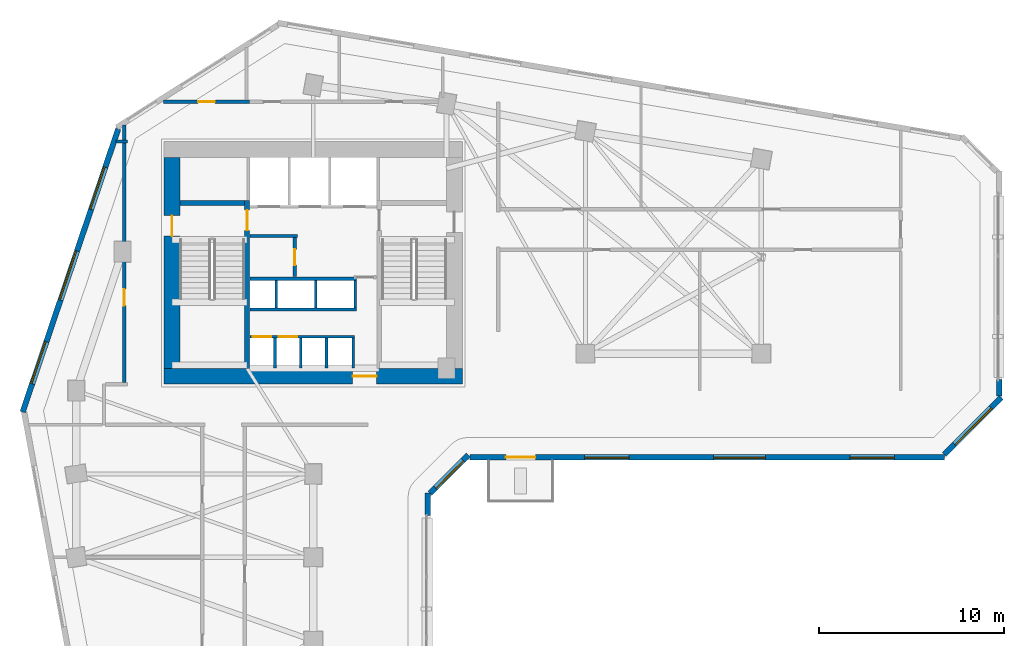
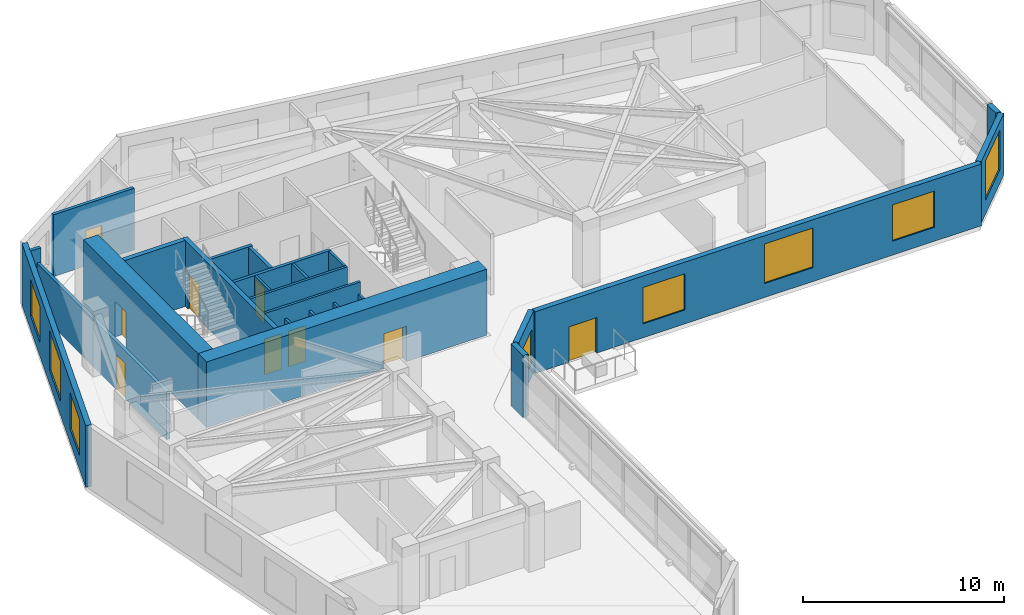
# One storey, part 7 of 12: 25 walls, 9 doors, 8 windows, 17 openings.
"""IFC4 building model written with IfcOpenShell, lengths in metres."""

import ifcopenshell
import ifcopenshell.guid

model = None  # the IFC model being written
_history = None  # IfcOwnerHistory: only IFC2X3 demands one
_inside = {}  # id of a spatial element -> (the spatial element, [elements in it])
_under = {}  # id of a project, library or spatial element -> (it, [spatial elements below it])
_declared = {}  # id of a project -> (the project, [libraries it declares])
_typed = {}  # id of a type object -> (the type object, [elements of that type])
_made_of = {}  # id of a material, layer set ... -> (it, [elements and type objects made of it])


def new_model(schema):
    """Start an empty IFC model of exactly this schema.

    Asked for "IFC4X3", IfcOpenShell would pick the latest addendum, in which some entities
    have other attributes; the version numbers below select the first issue.
    IFC2X3 requires an IfcOwnerHistory on every rooted entity: one is made here for all.
    """
    global model, _history
    if schema == "IFC4X3":
        model = ifcopenshell.file(schema_version=(4, 3, 0, 0))
    else:
        model = ifcopenshell.file(schema=schema)
    _inside.clear()
    _under.clear()
    _declared.clear()
    _typed.clear()
    _made_of.clear()
    _history = None
    if model.schema == "IFC2X3":
        org = make("IfcOrganization", Name="unknown")
        user = make(
            "IfcPersonAndOrganization",
            ThePerson=make("IfcPerson", FamilyName="unknown"),
            TheOrganization=org,
        )
        app = make(
            "IfcApplication",
            ApplicationDeveloper=org,
            Version="unknown",
            ApplicationFullName="unknown",
            ApplicationIdentifier="unknown",
        )
        _history = make(
            "IfcOwnerHistory",
            OwningUser=user,
            OwningApplication=app,
            ChangeAction="ADDED",
            CreationDate=0,
        )
    return model


def make(cls, **values):
    """One entity of the class cls with the attributes given. An attribute that is None is left unset."""
    return model.create_entity(
        cls, **{name: value for name, value in values.items() if value is not None}
    )


def rooted(cls, **values):
    """An entity with a GlobalId (a new one), such as an element, a storey or a relation."""
    return make(cls, GlobalId=ifcopenshell.guid.new(), OwnerHistory=_history, **values)


def si_unit(unit_type, name, prefix=None):
    """IfcSIUnit, for example si_unit("LENGTHUNIT", "METRE", prefix="MILLI")."""
    return make("IfcSIUnit", UnitType=unit_type, Prefix=prefix, Name=name)


def assignment(units):
    """IfcUnitAssignment: the units of a project."""
    return None if units is None else make("IfcUnitAssignment", Units=units)


def point(xyz):
    """IfcCartesianPoint."""
    return None if xyz is None else make("IfcCartesianPoint", Coordinates=xyz)


def direction(xyz):
    """IfcDirection."""
    return None if xyz is None else make("IfcDirection", DirectionRatios=xyz)


def frame(location, z_axis=None, x_axis=None):
    """IfcAxis2Placement3D, a coordinate frame: its origin and axes. An axis left out is left unset."""
    return make(
        "IfcAxis2Placement3D",
        Location=point(location),
        Axis=direction(z_axis),
        RefDirection=direction(x_axis),
    )


def frame_2d(location, x_axis=None):
    """IfcAxis2Placement2D, a coordinate frame in the plane: its origin and x axis."""
    return make(
        "IfcAxis2Placement2D", Location=point(location), RefDirection=direction(x_axis)
    )


def origin():
    """The frame at (0, 0, 0) with its axes left unset."""
    return frame((0.0, 0.0, 0.0))


def place(relative_to, where):
    """IfcLocalPlacement: puts the frame where relative to a parent placement (None: the world)."""
    return make(
        "IfcLocalPlacement", PlacementRelTo=relative_to, RelativePlacement=where
    )


def context(
    kind, dimensions, precision=None, world=None, true_north=None, identifier=None
):
    """IfcGeometricRepresentationContext, for example the 3D "Model" context."""
    return make(
        "IfcGeometricRepresentationContext",
        ContextIdentifier=identifier,
        ContextType=kind,
        CoordinateSpaceDimension=dimensions,
        Precision=precision,
        WorldCoordinateSystem=world,
        TrueNorth=true_north,
    )


def subcontext(parent, identifier, kind, view, scale=None):
    """IfcGeometricRepresentationSubContext, for example "Body" below "Model"."""
    return make(
        "IfcGeometricRepresentationSubContext",
        ContextIdentifier=identifier,
        ContextType=kind,
        ParentContext=parent,
        TargetScale=scale,
        TargetView=view,
    )


def project(units=None, contexts=None):
    """IfcProject with its units and contexts."""
    return rooted(
        "IfcProject",
        Name="project",
        RepresentationContexts=contexts,
        UnitsInContext=assignment(units),
    )


def spatial(cls, under=None, at=None, **own):
    """A site, building, storey or space (cls), placed at a placement, below another one or the project."""
    s = rooted(cls, ObjectPlacement=at, **own)
    if under is not None:
        _under.setdefault(under.id(), (under, []))[1].append(s)
    return s


def profile(cls, at=None, kind="AREA", **sizes):
    """A parametric profile (cls). Its sizes go by their IFC names, for example OverallWidth=200.0."""
    return make(cls, ProfileType=kind, Position=at, **sizes)


def rectangle(**sizes):
    """IfcRectangleProfileDef."""
    return profile("IfcRectangleProfileDef", **sizes)


def extrude(swept, where, along, depth):
    """IfcExtrudedAreaSolid: the profile swept, set in the frame where, extruded along a direction by depth."""
    return make(
        "IfcExtrudedAreaSolid",
        SweptArea=swept,
        Position=where,
        ExtrudedDirection=direction(along),
        Depth=depth,
    )


def shape(context_of_items, identifier, shape_type, items):
    """IfcShapeRepresentation: the items that make up one representation, for example the "Body"."""
    return make(
        "IfcShapeRepresentation",
        ContextOfItems=context_of_items,
        RepresentationIdentifier=identifier,
        RepresentationType=shape_type,
        Items=items,
    )


def source(mapping_origin, context_of_items, identifier, shape_type, items):
    """IfcRepresentationMap: a shape defined once, which mapped items show again and again."""
    return make(
        "IfcRepresentationMap",
        MappingOrigin=mapping_origin,
        MappedRepresentation=shape(context_of_items, identifier, shape_type, items),
    )


def transform(
    local_origin,
    x_axis=None,
    y_axis=None,
    z_axis=None,
    scale=None,
    scale2=None,
    scale3=None,
    uniform=True,
):
    """IfcCartesianTransformationOperator3D, or its non-uniform kind. x_axis, y_axis, z_axis: its Axis1, 2, 3."""
    if uniform:
        return make(
            "IfcCartesianTransformationOperator3D",
            Axis1=direction(x_axis),
            Axis2=direction(y_axis),
            LocalOrigin=point(local_origin),
            Scale=scale,
            Axis3=direction(z_axis),
        )
    return make(
        "IfcCartesianTransformationOperator3DnonUniform",
        Axis1=direction(x_axis),
        Axis2=direction(y_axis),
        LocalOrigin=point(local_origin),
        Scale=scale,
        Axis3=direction(z_axis),
        Scale2=scale2,
        Scale3=scale3,
    )


def mapped(mapping_source, mapping_target):
    """IfcMappedItem: shows the shape of a source again, moved by a transform."""
    return make(
        "IfcMappedItem", MappingSource=mapping_source, MappingTarget=mapping_target
    )


def material(Name=None, Category=None):
    """IfcMaterial."""
    return make("IfcMaterial", Name=Name, Category=Category)


def layer(
    of_material, thickness, ventilated=None, Name=None, Category=None, Priority=None
):
    """IfcMaterialLayer: one layer of a wall or slab, of a material (None: an air gap)."""
    return make(
        "IfcMaterialLayer",
        Material=of_material,
        LayerThickness=thickness,
        IsVentilated=ventilated,
        Name=Name,
        Category=Category,
        Priority=Priority,
    )


def layer_set(layers, Name=None):
    """IfcMaterialLayerSet."""
    return make("IfcMaterialLayerSet", MaterialLayers=layers, LayerSetName=Name)


def made_of(thing, what):
    """Note that an element or type object is made of a material, layer set ...; save() writes the relation."""
    if what is not None:
        _made_of.setdefault(what.id(), (what, []))[1].append(thing)
    return thing


def type_object(cls, material=None, **own):
    """A type object (cls), such as IfcWallType, which elements share."""
    return made_of(rooted(cls, **own), material)


def element(
    cls,
    number,
    at=None,
    inside=None,
    cuts=None,
    type_object=None,
    material=None,
    context=None,
    identifier="Body",
    shape_type=None,
    held_by="IfcProductDefinitionShape",
    body=None,
    shapes=None,
    **own,
):
    """One element of the class cls, such as IfcWall. Its Tag is "e" and its number.

    at: its placement. inside: the storey or other place that contains it. cuts: it is an
    opening in that element (IfcRelVoidsElement). A single representation is given by context,
    identifier, shape_type and body (its items); several are given by shapes. held_by: the class
    of the entity that holds the representations. save() writes the other relations.
    """
    e = rooted(cls, Tag="e%d" % number, ObjectPlacement=at, **own)
    if body is not None:
        shapes = [shape(context, identifier, shape_type, body)]
    if shapes is not None:
        e.Representation = make(held_by, Representations=shapes)
    if inside is not None:
        _inside.setdefault(inside.id(), (inside, []))[1].append(e)
    if cuts is not None:
        rooted(
            "IfcRelVoidsElement", RelatingBuildingElement=cuts, RelatedOpeningElement=e
        )
    if type_object is not None:
        _typed.setdefault(type_object.id(), (type_object, []))[1].append(e)
    return made_of(e, material)


def fill(opening, filler):
    """IfcRelFillsElement: the door or window that sits in an opening."""
    return rooted(
        "IfcRelFillsElement",
        RelatingOpeningElement=opening,
        RelatedBuildingElement=filler,
    )


def aggregate(whole, parts):
    """IfcRelAggregates: a whole, such as a stair, and the parts it consists of."""
    return rooted("IfcRelAggregates", RelatingObject=whole, RelatedObjects=parts)


def save(model, path):
    """Write the relations noted so far, then the file.

    IfcRelAggregates (storeys below a building ...), IfcRelContainedInSpatialStructure (elements
    in a storey), IfcRelDefinesByType, IfcRelAssociatesMaterial and IfcRelDeclares: one each for
    every whole, place, type object, material and project.
    """
    for whole, parts in _under.values():
        aggregate(whole, parts)
    for where, things in _inside.values():
        rooted(
            "IfcRelContainedInSpatialStructure",
            RelatedElements=things,
            RelatingStructure=where,
        )
    for kind, things in _typed.values():
        rooted("IfcRelDefinesByType", RelatedObjects=things, RelatingType=kind)
    for what, things in _made_of.values():
        rooted("IfcRelAssociatesMaterial", RelatedObjects=things, RelatingMaterial=what)
    for by, libraries in _declared.values():
        rooted("IfcRelDeclares", RelatingContext=by, RelatedDefinitions=libraries)
    model.write(path)


model = new_model("IFC4")

# Units and contexts
model_context = context("Model", 3, precision=1e-05, world=origin(), true_north=direction((0.0, 1.0)))
body_context = subcontext(model_context, "Body", "Model", "MODEL_VIEW")
ifc_project = project(units=[si_unit("LENGTHUNIT", "METRE"), si_unit("AREAUNIT", "SQUARE_METRE"), si_unit("VOLUMEUNIT", "CUBIC_METRE"), si_unit("PLANEANGLEUNIT", "RADIAN"), si_unit("MASSUNIT", "GRAM", prefix="KILO")], contexts=[model_context])

# Site, building, storey
site_placement = place(None, origin())
site = spatial("IfcSite", under=ifc_project, at=site_placement, CompositionType="ELEMENT")
building_placement = place(site_placement, origin())
building = spatial("IfcBuilding", under=site, at=building_placement, Name="Calvemar Wedge Station Tower", CompositionType="ELEMENT")
storey_placement = place(building_placement, frame((0.0, 0.0, 39.0)))
storey = spatial("IfcBuildingStorey", under=building, at=storey_placement, Name="L09", CompositionType="ELEMENT", Elevation=39.0)

# Wall, opening, door
ifc_material_1 = material(Name="Concrete C50", Category="concrete")
ifc_layer_1 = layer(ifc_material_1, 0.260009765625)
ifc_layer_set_1 = layer_set([ifc_layer_1], Name="Concrete C50")
wall_type_1 = type_object("IfcWallType", Name="SW-CORE-260", PredefinedType="SHEAR", material=ifc_layer_set_1)
wall_1_placement = place(storey_placement, frame((20.22998046875, 34.199951171875, 0.0), z_axis=(0.0, 0.0, 1.0), x_axis=(0.0, 1.0, 0.0)))
wall_1 = element("IfcWall", 1, at=wall_1_placement, inside=storey, type_object=wall_type_1, Name="Storey L09 Core Shear Wall SPINE-W", PredefinedType="SHEAR", context=body_context, shape_type="SweptSolid", body=[
    extrude(rectangle(XDim=9.06005859375, YDim=0.260009765625, at=frame_2d((4.530029296875, 0.0))), origin(), (0.0, 0.0, 1.0), 4.0),
])
shared_shape_1 = source(origin(), body_context, "Body", "SweptSolid", [
    extrude(rectangle(XDim=1.10009765625, YDim=2.14990234375, at=frame_2d((0.550048828125, 1.074951171875))), frame((0.0, 0.14013671875, 0.0), z_axis=(0.0, -1.0, 0.0), x_axis=(1.0, 0.0, 0.0)), (0.0, 0.0, 1.0), 0.280029296875),
])
opening_1_placement = place(wall_1_placement, frame((7.449951171875, 0.0, 0.0)))
opening_1 = element("IfcOpeningElement", 2, at=opening_1_placement, cuts=wall_1, Name="Opening FD-90", PredefinedType="OPENING", context=body_context, shape_type="MappedRepresentation", body=[
    mapped(shared_shape_1, transform((0.0, 0.0, 0.0), scale=1.0)),
])
ifc_material_2 = material(Name="Galvanized fire-rated steel door leaf P-90", Category="steel")
door_type_1 = type_object("IfcDoorType", Name="DR-FD90-1100", OperationType="NOTDEFINED", PredefinedType="DOOR", material=ifc_material_2)
shared_shape_2 = source(origin(), body_context, "Body", "SweptSolid", [
    extrude(rectangle(XDim=1.10009765625, YDim=2.14990234375, at=frame_2d((0.550048828125, 1.074951171875))), frame((0.0, 0.02490234375, 0.0), z_axis=(0.0, -1.0, 0.0), x_axis=(1.0, 0.0, 0.0)), (0.0, 0.0, 1.0), 0.050048828125),
])
door_1_placement = place(opening_1_placement, origin())
door_1 = element("IfcDoor", 3, at=door_1_placement, inside=storey, type_object=door_type_1, Name="L09 FF Lobby to Stair ST-C1 Door", OperationType="SINGLE_SWING_LEFT", OverallHeight=2.14990234375, OverallWidth=1.10009765625, PredefinedType="DOOR", context=body_context, shape_type="MappedRepresentation", body=[
    mapped(shared_shape_2, transform((0.0, 0.0, 0.0), scale=1.0)),
])
fill(opening_1, door_1)

# Wall
wall_2_placement = place(storey_placement, frame((16.60009765625, 43.1298828125, 0.0), z_axis=(0.0, 0.0, 1.0), x_axis=(1.0, 0.0, 0.0)))
element("IfcWall", 4, at=wall_2_placement, inside=storey, type_object=wall_type_1, Name="Storey L09 Core Shear Wall STC1-N", PredefinedType="SHEAR", context=body_context, shape_type="SweptSolid", body=[
    extrude(rectangle(XDim=3.5, YDim=0.260009765625, at=frame_2d((1.75, 0.0))), origin(), (0.0, 0.0, 1.0), 4.0),
])

# Wall, opening, door
ifc_material_3 = material(Name="Concrete C80", Category="concrete")
ifc_layer_2 = layer(ifc_material_3, 0.85009765625)
ifc_layer_set_2 = layer_set([ifc_layer_2], Name="Concrete C80")
wall_type_2 = type_object("IfcWallType", Name="SW-CORE-850", PredefinedType="SHEAR", material=ifc_layer_set_2)
wall_3_placement = place(storey_placement, frame((15.75, 33.77490234375, 0.0), z_axis=(0.0, 0.0, 1.0), x_axis=(1.0, 0.0, 0.0)))
wall_3 = element("IfcWall", 5, at=wall_3_placement, inside=storey, type_object=wall_type_2, Name="Storey L09 Core Shear Wall S", PredefinedType="SHEAR", context=body_context, shape_type="SweptSolid", body=[
    extrude(rectangle(XDim=16.10009765625, YDim=0.85009765625, at=frame_2d((8.050048828125, 0.0))), origin(), (0.0, 0.0, 1.0), 4.0),
])
shared_shape_3 = source(origin(), body_context, "Body", "SweptSolid", [
    extrude(rectangle(XDim=1.300048828125, YDim=2.14990234375, at=frame_2d((0.64990234375, 1.074951171875))), frame((0.0, 0.43505859375, 0.0), z_axis=(0.0, -1.0, 0.0), x_axis=(1.0, 0.0, 0.0)), (0.0, 0.0, 1.0), 0.8701171875),
])
opening_2_placement = place(wall_3_placement, frame((10.179931640625, 0.0, 0.0)))
opening_2 = element("IfcOpeningElement", 6, at=opening_2_placement, cuts=wall_3, Name="Opening DD-130", PredefinedType="OPENING", context=body_context, shape_type="MappedRepresentation", body=[
    mapped(shared_shape_3, transform((0.0, 0.0, 0.0), scale=1.0)),
])
ifc_material_4 = material(Name="Double-leaf lift lobby fire door EI 60")
door_type_2 = type_object("IfcDoorType", Name="DR-DBL-1300", OperationType="DOUBLE_DOOR_SINGLE_SWING", PredefinedType="DOOR", material=ifc_material_4)
shared_shape_4 = source(origin(), body_context, "Body", "SweptSolid", [
    extrude(rectangle(XDim=1.300048828125, YDim=2.14990234375, at=frame_2d((0.64990234375, 1.074951171875))), frame((0.0, 0.02490234375, 0.0), z_axis=(0.0, -1.0, 0.0), x_axis=(1.0, 0.0, 0.0)), (0.0, 0.0, 1.0), 0.050048828125),
])
door_2_placement = place(opening_2_placement, origin())
door_2 = element("IfcDoor", 7, at=door_2_placement, inside=storey, type_object=door_type_2, Name="L09 Passenger Lift Lobby Door", OperationType="DOUBLE_DOOR_SINGLE_SWING", OverallHeight=2.14990234375, OverallWidth=1.300048828125, PredefinedType="DOOR", context=body_context, shape_type="MappedRepresentation", body=[
    mapped(shared_shape_4, transform((0.0, 0.0, 0.0), scale=1.0)),
])
fill(opening_2, door_2)

wall_4_placement = place(storey_placement, frame((16.175048828125, 34.199951171875, 0.0), z_axis=(0.0, 0.0, 1.0), x_axis=(0.0, 1.0, 0.0)))
wall_4 = element("IfcWall", 8, at=wall_4_placement, inside=storey, type_object=wall_type_2, Name="Storey L09 Core Shear Wall W", PredefinedType="SHEAR", context=body_context, shape_type="SweptSolid", body=[
    extrude(rectangle(XDim=11.400146484375, YDim=0.85009765625, at=frame_2d((5.7001953125, 0.0))), origin(), (0.0, 0.0, 1.0), 4.0),
])
shared_shape_5 = source(origin(), body_context, "Body", "SweptSolid", [
    extrude(rectangle(XDim=1.10009765625, YDim=2.14990234375, at=frame_2d((0.550048828125, 1.074951171875))), frame((0.0, 0.43505859375, 0.0), z_axis=(0.0, -1.0, 0.0), x_axis=(1.0, 0.0, 0.0)), (0.0, 0.0, 1.0), 0.8701171875),
])
opening_3_placement = place(wall_4_placement, frame((7.14990234375, 0.0, 0.0)))
opening_3 = element("IfcOpeningElement", 9, at=opening_3_placement, cuts=wall_4, Name="Opening FD-90", PredefinedType="OPENING", context=body_context, shape_type="MappedRepresentation", body=[
    mapped(shared_shape_5, transform((0.0, 0.0, 0.0), scale=1.0)),
])
door_3_placement = place(opening_3_placement, origin())
door_3 = element("IfcDoor", 10, at=door_3_placement, inside=storey, type_object=door_type_1, Name="L09 West Corridor to Exit Stair ST-C1 Door", OperationType="SINGLE_SWING_LEFT", OverallHeight=2.14990234375, OverallWidth=1.10009765625, PredefinedType="DOOR", context=body_context, shape_type="MappedRepresentation", body=[
    mapped(shared_shape_2, transform((0.0, 0.0, 0.0), scale=1.0)),
])
fill(opening_3, door_3)

# Wall
ifc_material_5 = material(Name="Double-stud fire-rated corridor partition")
ifc_layer_3 = layer(ifc_material_5, 0.179931640625)
ifc_layer_set_3 = layer_set([ifc_layer_3], Name="Double-stud fire-rated corridor partition")
wall_type_3 = type_object("IfcWallType", Name="W-CORR-180", PredefinedType="PARTITIONING", material=ifc_layer_set_3)
wall_5_placement = place(storey_placement, frame((22.9599609375, 41.35009765625, 0.0), z_axis=(0.0, 0.0, 1.0), x_axis=(-1.0, 0.0, 0.0)))
element("IfcWall", 11, at=wall_5_placement, inside=storey, type_object=wall_type_3, Name="Storey L09 Interior Partition WL-L09-001", PredefinedType="PARTITIONING", context=body_context, shape_type="SweptSolid", body=[
    extrude(rectangle(XDim=2.580078125, YDim=0.179931640625, at=frame_2d((1.2900390625, 0.0))), origin(), (0.0, 0.0, 1.0), 3.75),
])

# Wall, opening, door
wall_6_placement = place(storey_placement, frame((22.800048828125, 41.256103515625, 0.0), z_axis=(0.0, 0.0, 1.0), x_axis=(0.0, -1.0, 0.0)))
wall_6 = element("IfcWall", 12, at=wall_6_placement, inside=storey, type_object=wall_type_3, Name="Storey L09 Interior Partition WL-L09-002", PredefinedType="PARTITIONING", context=body_context, shape_type="SweptSolid", body=[
    extrude(rectangle(XDim=2.106201171875, YDim=0.179931640625, at=frame_2d((1.05322265625, 0.0))), origin(), (0.0, 0.0, 1.0), 3.75),
])
shared_shape_6 = source(origin(), body_context, "Body", "SweptSolid", [
    extrude(rectangle(XDim=0.85009765625, YDim=2.14990234375, at=frame_2d((0.425048828125, 1.074951171875))), frame((0.0, 0.10009765625, 0.0), z_axis=(0.0, -1.0, 0.0), x_axis=(1.0, 0.0, 0.0)), (0.0, 0.0, 1.0), 0.199951171875),
])
opening_4_placement = place(wall_6_placement, frame((0.6279296875, 0.0, 0.0)))
opening_4 = element("IfcOpeningElement", 13, at=opening_4_placement, cuts=wall_6, Name="Opening FD-60S", PredefinedType="OPENING", context=body_context, shape_type="MappedRepresentation", body=[
    mapped(shared_shape_6, transform((0.0, 0.0, 0.0), scale=1.0)),
])
ifc_material_6 = material(Name="Fire-rated steel and hardwood service door EI 60", Category="steel")
door_type_3 = type_object("IfcDoorType", Name="DR-CORE-FD60-850", OperationType="NOTDEFINED", PredefinedType="DOOR", material=ifc_material_6)
shared_shape_7 = source(origin(), body_context, "Body", "SweptSolid", [
    extrude(rectangle(XDim=0.85009765625, YDim=2.14990234375, at=frame_2d((0.425048828125, 1.074951171875))), frame((0.0, 0.02490234375, 0.0), z_axis=(0.0, -1.0, 0.0), x_axis=(1.0, 0.0, 0.0)), (0.0, 0.0, 1.0), 0.050048828125),
])
door_4_placement = place(opening_4_placement, origin())
door_4 = element("IfcDoor", 14, at=door_4_placement, inside=storey, type_object=door_type_3, Name="L09 Core Electrical Switch Room Door", OperationType="SINGLE_SWING_LEFT", OverallHeight=2.14990234375, OverallWidth=0.85009765625, PredefinedType="DOOR", context=body_context, shape_type="MappedRepresentation", body=[
    mapped(shared_shape_7, transform((0.0, 0.0, 0.0), scale=1.0)),
])
fill(opening_4, door_4)

wall_7_placement = place(storey_placement, frame((13.60009765625, 33.444091796875, 0.0), z_axis=(0.0, 0.0, 1.0), x_axis=(0.0, 1.0, 0.0)))
wall_7 = element("IfcWall", 15, at=wall_7_placement, inside=storey, type_object=wall_type_3, Name="Storey L09 Interior Partition WL-L09-008", PredefinedType="PARTITIONING", context=body_context, shape_type="SweptSolid", body=[
    extrude(rectangle(XDim=13.896240234375, YDim=0.179931640625, at=frame_2d((6.9482421875, 0.0))), origin(), (0.0, 0.0, 1.0), 2.89208984375),
])
shared_shape_8 = source(origin(), body_context, "Body", "SweptSolid", [
    extrude(rectangle(XDim=0.89990234375, YDim=2.14990234375, at=frame_2d((0.449951171875, 1.074951171875))), frame((0.0, 0.10009765625, 0.0), z_axis=(0.0, -1.0, 0.0), x_axis=(1.0, 0.0, 0.0)), (0.0, 0.0, 1.0), 0.199951171875),
])
opening_5_placement = place(wall_7_placement, frame((4.143798828125, 0.0, 0.0)))
opening_5 = element("IfcOpeningElement", 16, at=opening_5_placement, cuts=wall_7, Name="Opening D-01", PredefinedType="OPENING", context=body_context, shape_type="MappedRepresentation", body=[
    mapped(shared_shape_8, transform((0.0, 0.0, 0.0), scale=1.0)),
])
ifc_material_7 = material(Name="Architectural hardwood acoustic swing door", Category="wood")
door_type_4 = type_object("IfcDoorType", Name="DR-INT-900", OperationType="NOTDEFINED", PredefinedType="DOOR", material=ifc_material_7)
shared_shape_9 = source(origin(), body_context, "Body", "SweptSolid", [
    extrude(rectangle(XDim=0.89990234375, YDim=2.14990234375, at=frame_2d((0.449951171875, 1.074951171875))), frame((0.0, 0.02490234375, 0.0), z_axis=(0.0, -1.0, 0.0), x_axis=(1.0, 0.0, 0.0)), (0.0, 0.0, 1.0), 0.050048828125),
])
door_5_placement = place(opening_5_placement, origin())
door_5 = element("IfcDoor", 17, at=door_5_placement, inside=storey, type_object=door_type_4, Name="L09 Co-Working Studio Door", OperationType="SINGLE_SWING_LEFT", OverallHeight=2.14990234375, OverallWidth=0.89990234375, PredefinedType="DOOR", context=body_context, shape_type="MappedRepresentation", body=[
    mapped(shared_shape_9, transform((0.0, 0.0, 0.0), scale=1.0)),
])
fill(opening_5, door_5)

# Wall
wall_8_placement = place(storey_placement, frame((13.760009765625, 46.449951171875, 0.0), z_axis=(0.0, 0.0, 1.0), x_axis=(-1.0, 0.0, 0.0)))
element("IfcWall", 18, at=wall_8_placement, inside=storey, type_object=wall_type_3, Name="Storey L09 Interior Partition WL-L09-009", PredefinedType="PARTITIONING", context=body_context, shape_type="SweptSolid", body=[
    extrude(rectangle(XDim=0.60107421875, YDim=0.179931640625, at=frame_2d((0.300537109375, 0.0))), origin(), (0.0, 0.0, 1.0), 3.75),
])

# Wall, opening, door
wall_9_placement = place(storey_placement, frame((15.709716796875, 48.60009765625, 0.0), z_axis=(0.0, 0.0, 1.0), x_axis=(1.0, 0.0, 0.0)))
wall_9 = element("IfcWall", 19, at=wall_9_placement, inside=storey, type_object=wall_type_3, Name="Storey L09 Interior Partition WL-L09-010", PredefinedType="PARTITIONING", context=body_context, shape_type="SweptSolid", body=[
    extrude(rectangle(XDim=4.650390625, YDim=0.179931640625, at=frame_2d((2.3251953125, 0.0))), origin(), (0.0, 0.0, 1.0), 3.75),
])
opening_6_placement = place(wall_9_placement, frame((1.875, 0.0, 0.0)))
opening_6 = element("IfcOpeningElement", 20, at=opening_6_placement, cuts=wall_9, Name="Opening D-01", PredefinedType="OPENING", context=body_context, shape_type="MappedRepresentation", body=[
    mapped(shared_shape_8, transform((0.0, 0.0, 0.0), scale=1.0)),
])
door_6_placement = place(opening_6_placement, origin())
door_6 = element("IfcDoor", 21, at=door_6_placement, inside=storey, type_object=door_type_4, Name="L09 Male Toilet Door", OperationType="SINGLE_SWING_RIGHT", OverallHeight=2.14990234375, OverallWidth=0.89990234375, PredefinedType="DOOR", context=body_context, shape_type="MappedRepresentation", body=[
    mapped(shared_shape_9, transform((0.0, 0.0, 0.0), scale=1.0)),
])
fill(opening_6, door_6)

# Wall
ifc_material_8 = material(Name="Precast concrete C45", Category="concrete")
ifc_layer_4 = layer(ifc_material_8, 0.300048828125)
ifc_layer_set_4 = layer_set([ifc_layer_4], Name="Precast concrete C45")
wall_type_4 = type_object("IfcWallType", Name="W-EXT-GFRC-300", PredefinedType="SOLIDWALL", material=ifc_layer_set_4)
wall_10_placement = place(storey_placement, frame((29.97802734375, 26.2470703125, 0.0), z_axis=(0.0, 0.0, 1.0), x_axis=(0.0, 1.0, 0.0)))
element("IfcWall", 22, at=wall_10_placement, inside=storey, type_object=wall_type_4, Name="Storey L09 Bronze GFRC Corner Pier 4B", PredefinedType="SOLIDWALL", context=body_context, shape_type="SweptSolid", body=[
    extrude(rectangle(XDim=1.22509765625, YDim=0.300048828125, at=frame_2d((0.612548828125, 0.0))), origin(), (0.0, 0.0, 1.0), 3.75),
])

# Wall, opening, window
wall_11_placement = place(storey_placement, frame((30.115966796875, 27.460205078125, 0.0), z_axis=(0.0, 0.0, 1.0), x_axis=(0.707106781187, 0.707106781187, 0.0)))
wall_11 = element("IfcWall", 23, at=wall_11_placement, inside=storey, type_object=wall_type_4, Name="Storey L09 Bronze GFRC Exterior Wall 5", PredefinedType="SOLIDWALL", context=body_context, shape_type="SweptSolid", body=[
    extrude(rectangle(XDim=2.907470703125, YDim=0.300048828125, at=frame_2d((1.45361328125, 0.0))), origin(), (0.0, 0.0, 1.0), 3.75),
])
shared_shape_10 = source(origin(), body_context, "Body", "SweptSolid", [
    extrude(rectangle(XDim=2.10009765625, YDim=2.0, at=frame_2d((1.050048828125, 1.0))), frame((0.0, 0.16015625, 0.0), z_axis=(0.0, -1.0, 0.0), x_axis=(1.0, 0.0, 0.0)), (0.0, 0.0, 1.0), 0.320068359375),
])
opening_7_placement = place(wall_11_placement, frame((0.404052734375, 0.0, 0.85009765625)))
opening_7 = element("IfcOpeningElement", 24, at=opening_7_placement, cuts=wall_11, Name="Opening W4", PredefinedType="OPENING", context=body_context, shape_type="MappedRepresentation", body=[
    mapped(shared_shape_10, transform((0.0, 0.0, 0.0), scale=1.0)),
])
ifc_material_9 = material(Name="Low-E laminated insulated glass", Category="glass")
window_type_1 = type_object("IfcWindowType", Name="WIN-EXT-4", PartitioningType="SINGLE_PANEL", PredefinedType="WINDOW", material=ifc_material_9)
shared_shape_11 = source(origin(), body_context, "Body", "SweptSolid", [
    extrude(rectangle(XDim=2.10009765625, YDim=2.0, at=frame_2d((1.050048828125, 1.0))), frame((0.0, -0.014892578125, 0.0), z_axis=(0.0, -1.0, 0.0), x_axis=(1.0, 0.0, 0.0)), (0.0, 0.0, 1.0), 0.06005859375),
])
window_1_placement = place(opening_7_placement, origin())
window_1 = element("IfcWindow", 25, at=window_1_placement, inside=storey, type_object=window_type_1, Name="Storey L09 Recessed Window 5.1", OverallHeight=2.0, OverallWidth=2.10009765625, PartitioningType="SINGLE_PANEL", PredefinedType="WINDOW", context=body_context, shape_type="MappedRepresentation", body=[
    mapped(shared_shape_11, transform((0.0, 0.0, 0.0), scale=1.0)),
])
fill(opening_7, window_1)

# Wall, openings, windows, door
wall_12_placement = place(storey_placement, frame((32.260986328125, 29.409912109375, 0.0), z_axis=(0.0, 0.0, 1.0), x_axis=(1.0, 0.0, 0.0)))
wall_12 = element("IfcWall", 26, at=wall_12_placement, inside=storey, type_object=wall_type_4, Name="Storey L09 Bronze GFRC Exterior Wall 6", PredefinedType="SOLIDWALL", context=body_context, shape_type="SweptSolid", body=[
    extrude(rectangle(XDim=25.626953125, YDim=0.300048828125, at=frame_2d((12.8134765625, 0.0))), origin(), (0.0, 0.0, 1.0), 3.75),
])
shared_shape_12 = source(origin(), body_context, "Body", "SweptSolid", [
    extrude(rectangle(XDim=1.60009765625, YDim=2.14990234375, at=frame_2d((0.800048828125, 1.074951171875))), frame((0.0, 0.16015625, 0.0), z_axis=(0.0, -1.0, 0.0), x_axis=(1.0, 0.0, 0.0)), (0.0, 0.0, 1.0), 0.320068359375),
])
opening_8_placement = place(wall_12_placement, frame((1.93896484375, 0.0, 0.0)))
opening_8 = element("IfcOpeningElement", 27, at=opening_8_placement, cuts=wall_12, Name="Opening DT1", PredefinedType="OPENING", context=body_context, shape_type="MappedRepresentation", body=[
    mapped(shared_shape_12, transform((0.0, 0.0, 0.0), scale=1.0)),
])
shared_shape_13 = source(origin(), body_context, "Body", "SweptSolid", [
    extrude(rectangle(XDim=2.39990234375, YDim=2.199951171875, at=frame_2d((1.199951171875, 1.10009765625))), frame((0.0, 0.16015625, 0.0), z_axis=(0.0, -1.0, 0.0), x_axis=(1.0, 0.0, 0.0)), (0.0, 0.0, 1.0), 0.320068359375),
])
opening_9_placement = place(wall_12_placement, frame((6.199951171875, 0.0, 0.85009765625)))
opening_9 = element("IfcOpeningElement", 28, at=opening_9_placement, cuts=wall_12, Name="Opening W1", PredefinedType="OPENING", context=body_context, shape_type="MappedRepresentation", body=[
    mapped(shared_shape_13, transform((0.0, 0.0, 0.0), scale=1.0)),
])
shared_shape_14 = source(origin(), body_context, "Body", "SweptSolid", [
    extrude(rectangle(XDim=2.800048828125, YDim=2.39990234375, at=frame_2d((1.39990234375, 1.199951171875))), frame((0.0, 0.16015625, 0.0), z_axis=(0.0, -1.0, 0.0), x_axis=(1.0, 0.0, 0.0)), (0.0, 0.0, 1.0), 0.320068359375),
])
opening_10_placement = place(wall_12_placement, frame((13.1630859375, 0.0, 0.85009765625)))
opening_10 = element("IfcOpeningElement", 29, at=opening_10_placement, cuts=wall_12, Name="Opening W6", PredefinedType="OPENING", context=body_context, shape_type="MappedRepresentation", body=[
    mapped(shared_shape_14, transform((0.0, 0.0, 0.0), scale=1.0)),
])
opening_11_placement = place(wall_12_placement, frame((20.52587890625, 0.0, 0.85009765625)))
opening_11 = element("IfcOpeningElement", 30, at=opening_11_placement, cuts=wall_12, Name="Opening W1", PredefinedType="OPENING", context=body_context, shape_type="MappedRepresentation", body=[
    mapped(shared_shape_13, transform((0.0, 0.0, 0.0), scale=1.0)),
])
window_type_2 = type_object("IfcWindowType", Name="WIN-EXT-6", PartitioningType="SINGLE_PANEL", PredefinedType="WINDOW", material=ifc_material_9)
shared_shape_15 = source(origin(), body_context, "Body", "SweptSolid", [
    extrude(rectangle(XDim=2.800048828125, YDim=2.39990234375, at=frame_2d((1.39990234375, 1.199951171875))), frame((0.0, -0.014892578125, 0.0), z_axis=(0.0, -1.0, 0.0), x_axis=(1.0, 0.0, 0.0)), (0.0, 0.0, 1.0), 0.06005859375),
])
window_2_placement = place(opening_10_placement, origin())
window_2 = element("IfcWindow", 31, at=window_2_placement, inside=storey, type_object=window_type_2, Name="Storey L09 Recessed Window 6.2", OverallHeight=2.39990234375, OverallWidth=2.800048828125, PartitioningType="SINGLE_PANEL", PredefinedType="WINDOW", context=body_context, shape_type="MappedRepresentation", body=[
    mapped(shared_shape_15, transform((0.0, 0.0, 0.0), scale=1.0)),
])
fill(opening_10, window_2)
window_type_3 = type_object("IfcWindowType", Name="WIN-EXT-1", PartitioningType="SINGLE_PANEL", PredefinedType="WINDOW", material=ifc_material_9)
shared_shape_16 = source(origin(), body_context, "Body", "SweptSolid", [
    extrude(rectangle(XDim=2.39990234375, YDim=2.199951171875, at=frame_2d((1.199951171875, 1.10009765625))), frame((0.0, -0.014892578125, 0.0), z_axis=(0.0, -1.0, 0.0), x_axis=(1.0, 0.0, 0.0)), (0.0, 0.0, 1.0), 0.06005859375),
])
window_3_placement = place(opening_9_placement, origin())
window_3 = element("IfcWindow", 32, at=window_3_placement, inside=storey, type_object=window_type_3, Name="Storey L09 Recessed Window 6.1", OverallHeight=2.199951171875, OverallWidth=2.39990234375, PartitioningType="SINGLE_PANEL", PredefinedType="WINDOW", context=body_context, shape_type="MappedRepresentation", body=[
    mapped(shared_shape_16, transform((0.0, 0.0, 0.0), scale=1.0)),
])
fill(opening_9, window_3)
window_4_placement = place(opening_11_placement, origin())
window_4 = element("IfcWindow", 33, at=window_4_placement, inside=storey, type_object=window_type_3, Name="Storey L09 Recessed Window 6.3", OverallHeight=2.199951171875, OverallWidth=2.39990234375, PartitioningType="SINGLE_PANEL", PredefinedType="WINDOW", context=body_context, shape_type="MappedRepresentation", body=[
    mapped(shared_shape_16, transform((0.0, 0.0, 0.0), scale=1.0)),
])
fill(opening_11, window_4)
ifc_material_10 = material(Name="Anodised aluminium 6063-T6", Category="aluminium")
door_type_5 = type_object("IfcDoorType", Name="DR-TERR-1600", OperationType="DOUBLE_DOOR_SLIDING", PredefinedType="DOOR", material=ifc_material_10)
shared_shape_17 = source(origin(), body_context, "Body", "SweptSolid", [
    extrude(rectangle(XDim=1.60009765625, YDim=2.14990234375, at=frame_2d((0.800048828125, 1.074951171875))), frame((0.0, 0.02490234375, 0.0), z_axis=(0.0, -1.0, 0.0), x_axis=(1.0, 0.0, 0.0)), (0.0, 0.0, 1.0), 0.050048828125),
])
door_7_placement = place(opening_8_placement, origin())
door_7 = element("IfcDoor", 34, at=door_7_placement, inside=storey, type_object=door_type_5, Name="Storey L09 Spiral Terrace Door", OperationType="DOUBLE_DOOR_SLIDING", OverallHeight=2.14990234375, OverallWidth=1.60009765625, PredefinedType="DOOR", context=body_context, shape_type="MappedRepresentation", body=[
    mapped(shared_shape_17, transform((0.0, 0.0, 0.0), scale=1.0)),
])
fill(opening_8, door_7)

# Wall, opening, window
wall_13_placement = place(storey_placement, frame((57.8759765625, 29.548095703125, 0.0), z_axis=(0.0, 0.0, 1.0), x_axis=(0.707106781187, 0.707106781187, 0.0)))
wall_13 = element("IfcWall", 35, at=wall_13_placement, inside=storey, type_object=wall_type_4, Name="Storey L09 Bronze GFRC Exterior Wall 7", PredefinedType="SOLIDWALL", context=body_context, shape_type="SweptSolid", body=[
    extrude(rectangle(XDim=4.35595703125, YDim=0.300048828125, at=frame_2d((2.177978515625, 0.0))), origin(), (0.0, 0.0, 1.0), 3.75),
])
opening_12_placement = place(wall_13_placement, frame((0.778076171875, 0.0, 0.85009765625)))
opening_12 = element("IfcOpeningElement", 36, at=opening_12_placement, cuts=wall_13, Name="Opening W6", PredefinedType="OPENING", context=body_context, shape_type="MappedRepresentation", body=[
    mapped(shared_shape_14, transform((0.0, 0.0, 0.0), scale=1.0)),
])
window_5_placement = place(opening_12_placement, origin())
window_5 = element("IfcWindow", 37, at=window_5_placement, inside=storey, type_object=window_type_2, Name="Storey L09 Recessed Window 7.1", OverallHeight=2.39990234375, OverallWidth=2.800048828125, PartitioningType="SINGLE_PANEL", PredefinedType="WINDOW", context=body_context, shape_type="MappedRepresentation", body=[
    mapped(shared_shape_15, transform((0.0, 0.0, 0.0), scale=1.0)),
])
fill(opening_12, window_5)

# Wall
wall_14_placement = place(storey_placement, frame((60.85009765625, 32.71728515625, 0.0), z_axis=(0.0, 0.0, 1.0), x_axis=(0.0, 1.0, 0.0)))
element("IfcWall", 38, at=wall_14_placement, inside=storey, type_object=wall_type_4, Name="Storey L09 Bronze GFRC Corner Pier 8A", PredefinedType="SOLIDWALL", context=body_context, shape_type="SweptSolid", body=[
    extrude(rectangle(XDim=0.8798828125, YDim=0.300048828125, at=frame_2d((0.43994140625, 0.0))), origin(), (0.0, 0.0, 1.0), 3.75),
])

# Wall, openings, windows
wall_15_placement = place(storey_placement, frame((13.2685546875, 47.1337890625, 0.0), z_axis=(0.0, 0.0, 1.0), x_axis=(-0.319920423265, -0.947444416722, 0.0)))
wall_15 = element("IfcWall", 39, at=wall_15_placement, inside=storey, type_object=wall_type_4, Name="Storey L09 Bronze GFRC Exterior Wall 12", PredefinedType="SOLIDWALL", context=body_context, shape_type="SweptSolid", body=[
    extrude(rectangle(XDim=16.134765625, YDim=0.300048828125, at=frame_2d((8.0673828125, 0.0))), origin(), (0.0, 0.0, 1.0), 3.75),
])
opening_13_placement = place(wall_15_placement, frame((2.18798828125, 0.0, 0.85009765625)))
opening_13 = element("IfcOpeningElement", 40, at=opening_13_placement, cuts=wall_15, Name="Opening W1", PredefinedType="OPENING", context=body_context, shape_type="MappedRepresentation", body=[
    mapped(shared_shape_13, transform((0.0, 0.0, 0.0), scale=1.0)),
])
opening_14_placement = place(wall_15_placement, frame((6.958984375, 0.0, 0.85009765625)))
opening_14 = element("IfcOpeningElement", 41, at=opening_14_placement, cuts=wall_15, Name="Opening W6", PredefinedType="OPENING", context=body_context, shape_type="MappedRepresentation", body=[
    mapped(shared_shape_14, transform((0.0, 0.0, 0.0), scale=1.0)),
])
opening_15_placement = place(wall_15_placement, frame((12.1298828125, 0.0, 0.85009765625)))
opening_15 = element("IfcOpeningElement", 42, at=opening_15_placement, cuts=wall_15, Name="Opening W1", PredefinedType="OPENING", context=body_context, shape_type="MappedRepresentation", body=[
    mapped(shared_shape_13, transform((0.0, 0.0, 0.0), scale=1.0)),
])
window_6_placement = place(opening_14_placement, origin())
window_6 = element("IfcWindow", 43, at=window_6_placement, inside=storey, type_object=window_type_2, Name="Storey L09 Recessed Window 12.2", OverallHeight=2.39990234375, OverallWidth=2.800048828125, PartitioningType="SINGLE_PANEL", PredefinedType="WINDOW", context=body_context, shape_type="MappedRepresentation", body=[
    mapped(shared_shape_15, transform((0.0, 0.0, 0.0), scale=1.0)),
])
fill(opening_14, window_6)
window_7_placement = place(opening_13_placement, origin())
window_7 = element("IfcWindow", 44, at=window_7_placement, inside=storey, type_object=window_type_3, Name="Storey L09 Recessed Window 12.1", OverallHeight=2.199951171875, OverallWidth=2.39990234375, PartitioningType="SINGLE_PANEL", PredefinedType="WINDOW", context=body_context, shape_type="MappedRepresentation", body=[
    mapped(shared_shape_16, transform((0.0, 0.0, 0.0), scale=1.0)),
])
fill(opening_13, window_7)
window_8_placement = place(opening_15_placement, origin())
window_8 = element("IfcWindow", 45, at=window_8_placement, inside=storey, type_object=window_type_3, Name="Storey L09 Recessed Window 12.3", OverallHeight=2.199951171875, OverallWidth=2.39990234375, PartitioningType="SINGLE_PANEL", PredefinedType="WINDOW", context=body_context, shape_type="MappedRepresentation", body=[
    mapped(shared_shape_16, transform((0.0, 0.0, 0.0), scale=1.0)),
])
fill(opening_15, window_8)

# Wall, openings, doors
ifc_material_11 = material(Name="Reinforced concrete blockwork lift shaft wall", Category="masonry")
ifc_layer_5 = layer(ifc_material_11, 0.139892578125)
ifc_layer_set_5 = layer_set([ifc_layer_5], Name="Reinforced concrete blockwork lift shaft wall")
wall_type_5 = type_object("IfcWallType", Name="W-LIFT-160", PredefinedType="SOLIDWALL", material=ifc_layer_set_5)
wall_16_placement = place(storey_placement, frame((20.3798828125, 35.919921875, 0.0), z_axis=(0.0, 0.0, 1.0), x_axis=(1.0, 0.0, 0.0)))
wall_16 = element("IfcWall", 46, at=wall_16_placement, inside=storey, type_object=wall_type_5, Name="Storey L09 South Passenger Lift Bank Front Wall", PredefinedType="SOLIDWALL", context=body_context, shape_type="SweptSolid", body=[
    extrude(rectangle(XDim=5.650146484375, YDim=0.139892578125, at=frame_2d((2.8251953125, 0.0))), origin(), (0.0, 0.0, 1.0), 3.75),
])
shared_shape_18 = source(origin(), body_context, "Body", "SweptSolid", [
    extrude(rectangle(XDim=1.0, YDim=2.14990234375, at=frame_2d((0.5, 1.074951171875))), frame((0.0, 0.080078125, 0.0), z_axis=(0.0, -1.0, 0.0), x_axis=(1.0, 0.0, 0.0)), (0.0, 0.0, 1.0), 0.159912109375),
])
opening_16_placement = place(wall_16_placement, frame((0.159912109375, 0.0, 0.0)))
opening_16 = element("IfcOpeningElement", 47, at=opening_16_placement, cuts=wall_16, Name="Opening LD-PAX", PredefinedType="OPENING", context=body_context, shape_type="MappedRepresentation", body=[
    mapped(shared_shape_18, transform((0.0, 0.0, 0.0), scale=1.0)),
])
opening_17_placement = place(wall_16_placement, frame((1.550048828125, 0.0, 0.0)))
opening_17 = element("IfcOpeningElement", 48, at=opening_17_placement, cuts=wall_16, Name="Opening LD-PAX", PredefinedType="OPENING", context=body_context, shape_type="MappedRepresentation", body=[
    mapped(shared_shape_18, transform((0.0, 0.0, 0.0), scale=1.0)),
])
ifc_material_12 = material(Name="Anodised bronze passenger lift sliding landing door")
door_type_6 = type_object("IfcDoorType", Name="DR-LD-PAX-1000", OperationType="SLIDING_TO_LEFT", PredefinedType="DOOR", material=ifc_material_12)
shared_shape_19 = source(origin(), body_context, "Body", "SweptSolid", [
    extrude(rectangle(XDim=1.0, YDim=2.14990234375, at=frame_2d((0.5, 1.074951171875))), frame((0.0, 0.02490234375, 0.0), z_axis=(0.0, -1.0, 0.0), x_axis=(1.0, 0.0, 0.0)), (0.0, 0.0, 1.0), 0.050048828125),
])
door_8_placement = place(opening_16_placement, origin())
door_8 = element("IfcDoor", 49, at=door_8_placement, inside=storey, type_object=door_type_6, Name="L09 Lift OL-01 Sliding Landing Door", OperationType="SLIDING_TO_LEFT", OverallHeight=2.14990234375, OverallWidth=1.0, PredefinedType="DOOR", context=body_context, shape_type="MappedRepresentation", body=[
    mapped(shared_shape_19, transform((0.0, 0.0, 0.0), scale=1.0)),
])
fill(opening_16, door_8)
door_9_placement = place(opening_17_placement, origin())
door_9 = element("IfcDoor", 50, at=door_9_placement, inside=storey, type_object=door_type_6, Name="L09 Lift OL-02 Sliding Landing Door", OperationType="SLIDING_TO_RIGHT", OverallHeight=2.14990234375, OverallWidth=1.0, PredefinedType="DOOR", context=body_context, shape_type="MappedRepresentation", body=[
    mapped(shared_shape_19, transform((0.0, 0.0, 0.0), scale=1.0)),
])
fill(opening_17, door_9)

# Walls
for number, where, z_axis, x_axis, name in (
    (51, (25.9599609375, 34.219970703125, 0.0), (0.0, 0.0, 1.0), (0.0, 1.0, 0.0), "Storey L09 South Passenger Lift Shaft Wall E"),
    (52, (21.735107421875, 34.219970703125, 0.0), (0.0, 0.0, 1.0), (0.0, 1.0, 0.0), "Storey L09 South Passenger Lift Shaft Wall D1"),
    (53, (23.125, 34.219970703125, 0.0), (0.0, 0.0, 1.0), (0.0, 1.0, 0.0), "Storey L09 South Passenger Lift Shaft Wall D2"),
    (54, (24.514892578125, 34.219970703125, 0.0), (0.0, 0.0, 1.0), (0.0, 1.0, 0.0), "Storey L09 South Passenger Lift Shaft Wall D3"),
):
    element("IfcWall", number, at=place(storey_placement, frame(where, z_axis=z_axis, x_axis=x_axis)), inside=storey, type_object=wall_type_5, Name=name, PredefinedType="SOLIDWALL", context=body_context, shape_type="SweptSolid", body=[
        extrude(rectangle(XDim=1.6201171875, YDim=0.139892578125, at=frame_2d((0.81005859375, 0.0))), origin(), (0.0, 0.0, 1.0), 3.0419921875),
    ])
wall_17_placement = place(storey_placement, frame((20.3798828125, 37.3798828125, 0.0), z_axis=(0.0, 0.0, 1.0), x_axis=(1.0, 0.0, 0.0)))
element("IfcWall", 55, at=wall_17_placement, inside=storey, type_object=wall_type_5, Name="Storey L09 Upper Passenger Lift Bank Front Wall", PredefinedType="SOLIDWALL", context=body_context, shape_type="SweptSolid", body=[
    extrude(rectangle(XDim=5.75, YDim=0.139892578125, at=frame_2d((2.875, 0.0))), origin(), (0.0, 0.0, 1.0), 3.75),
])
for number, where, z_axis, x_axis, name in (
    (56, (26.06005859375, 37.4599609375, 0.0), (0.0, 0.0, 1.0), (0.0, 1.0, 0.0), "Storey L09 Upper Passenger Lift Shaft Wall E"),
    (57, (21.794921875, 37.4599609375, 0.0), (0.0, 0.0, 1.0), (0.0, 1.0, 0.0), "Storey L09 Upper Passenger Lift Shaft Wall D1"),
    (58, (23.93505859375, 37.4599609375, 0.0), (0.0, 0.0, 1.0), (0.0, 1.0, 0.0), "Storey L09 Upper Passenger Lift Shaft Wall D2"),
):
    element("IfcWall", number, at=place(storey_placement, frame(where, z_axis=z_axis, x_axis=x_axis)), inside=storey, type_object=wall_type_5, Name=name, PredefinedType="SOLIDWALL", context=body_context, shape_type="SweptSolid", body=[
        extrude(rectangle(XDim=1.47998046875, YDim=0.139892578125, at=frame_2d((0.739990234375, 0.0))), origin(), (0.0, 0.0, 1.0), 3.75),
    ])
ifc_material_13 = material(Name="Concrete blockwork and fireboard shaft wall", Category="masonry")
ifc_layer_6 = layer(ifc_material_13, 0.199951171875)
ifc_layer_set_6 = layer_set([ifc_layer_6], Name="Concrete blockwork and fireboard shaft wall")
wall_type_6 = type_object("IfcWallType", Name="W-SHAFT-200", PredefinedType="SOLIDWALL", material=ifc_layer_set_6)
wall_18_placement = place(storey_placement, frame((20.3798828125, 39.0400390625, 0.0), z_axis=(0.0, 0.0, 1.0), x_axis=(1.0, 0.0, 0.0)))
element("IfcWall", 59, at=wall_18_placement, inside=storey, type_object=wall_type_6, Name="Storey L09 Upper Passenger Lift Bank Rear Shaft Wall", PredefinedType="SOLIDWALL", context=body_context, shape_type="SweptSolid", body=[
    extrude(rectangle(XDim=5.75, YDim=0.179931640625, at=frame_2d((2.875, 0.0))), origin(), (0.0, 0.0, 1.0), 3.75),
])

save(model, "model.ifc")
